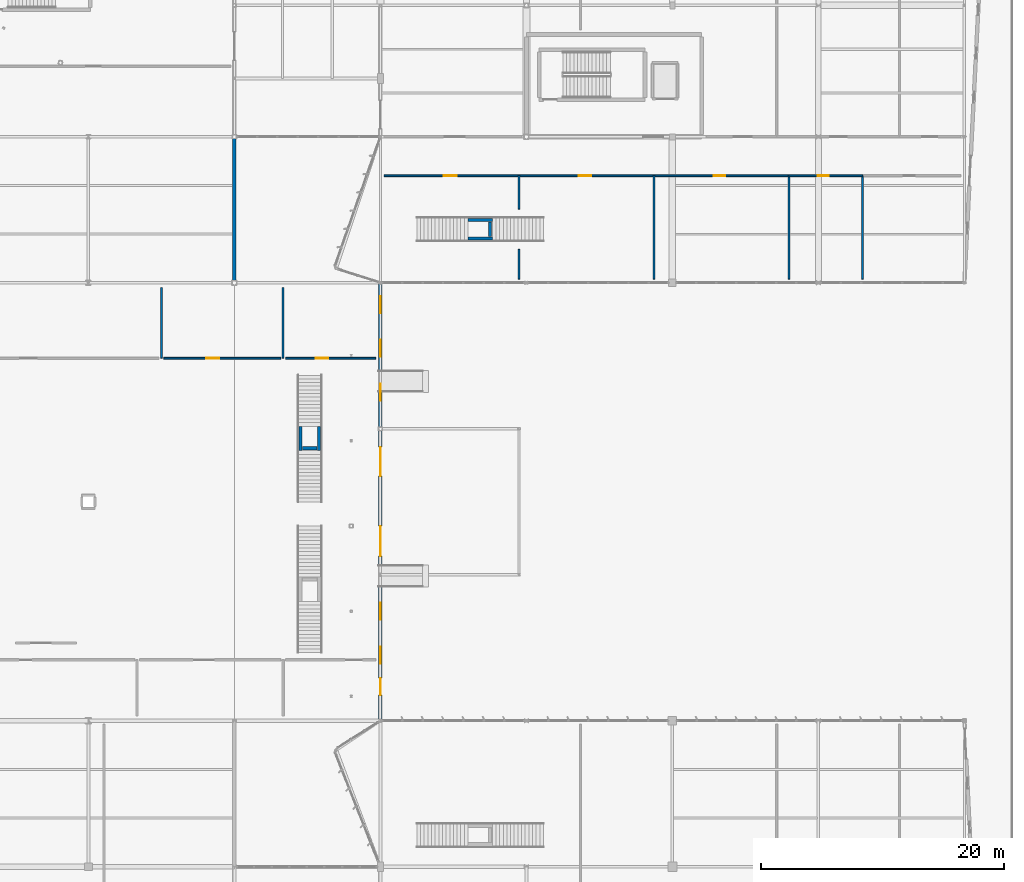
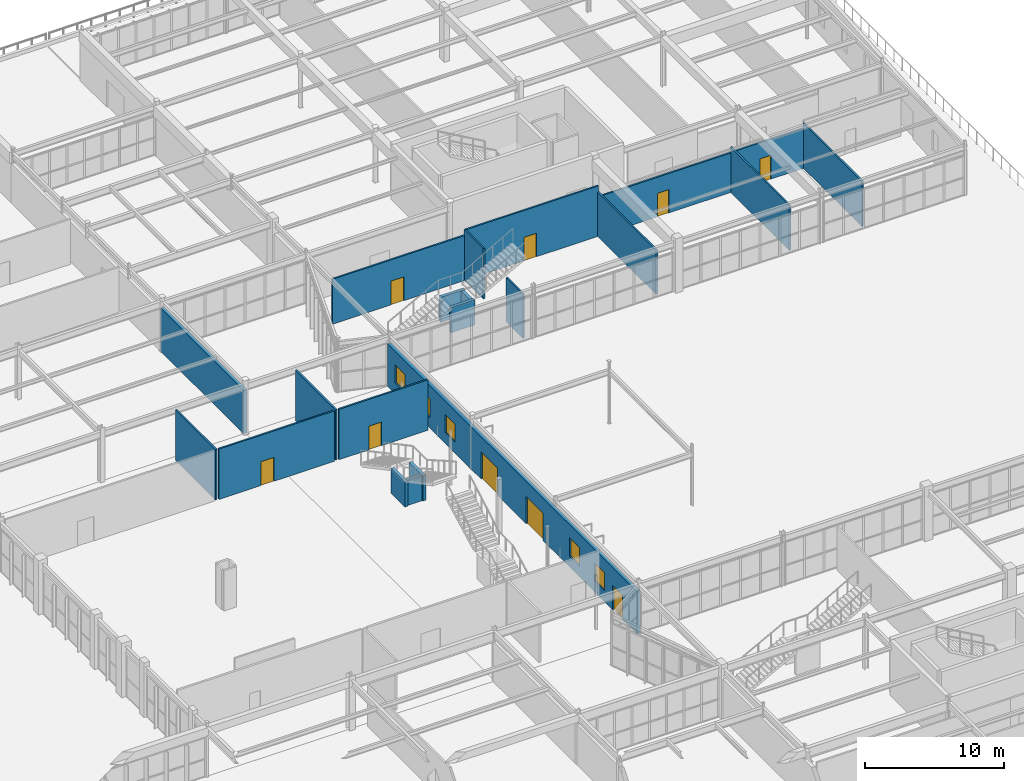
# One storey, part 170 of 199: 21 walls, 9 doors, 5 windows, 14 openings.
"""IFC4 building model written with IfcOpenShell, lengths in metres."""

from ifc_helpers import new_model, si_unit, direction, frame, frame_2d, origin, place, context, subcontext, project, spatial, rectangle, extrude, material, layer, layer_set, type_object, element, fill, save


model = new_model("IFC4")

# Units and contexts
model_context = context("Model", 3, precision=1e-05, world=origin(), true_north=direction((0.0, 1.0)))
body_context = subcontext(model_context, "Body", "Model", "MODEL_VIEW")
ifc_project = project(units=[si_unit("LENGTHUNIT", "METRE"), si_unit("AREAUNIT", "SQUARE_METRE"), si_unit("VOLUMEUNIT", "CUBIC_METRE"), si_unit("PLANEANGLEUNIT", "RADIAN"), si_unit("MASSUNIT", "GRAM", prefix="KILO")], contexts=[model_context])

# Site, building, storey
site_placement = place(None, origin())
site = spatial("IfcSite", under=ifc_project, at=site_placement, CompositionType="ELEMENT")
building_placement = place(site_placement, origin())
building = spatial("IfcBuilding", under=site, at=building_placement, Name="Tarnwether General Hospital", CompositionType="ELEMENT")
storey_placement = place(building_placement, origin())
storey = spatial("IfcBuildingStorey", under=building, at=storey_placement, Name="L00", CompositionType="ELEMENT", Elevation=0.0)

# Wall
ifc_material_1 = material(Name="Precast concrete 40 MPa", Category="concrete")
ifc_layer_1 = layer(ifc_material_1, 0.280029296875)
ifc_layer_set_1 = layer_set([ifc_layer_1], Name="Precast concrete 40 MPa")
wall_type_1 = type_object("IfcWallType", Name="WL-EX280", PredefinedType="STANDARD", material=ifc_layer_set_1)
wall_1_placement = place(storey_placement, frame((132.0, 93.60009765625, 0.0), z_axis=(0.0, 0.0, 1.0), x_axis=(0.0, -1.0, 0.0)))
element("IfcWall", 1, at=wall_1_placement, inside=storey, type_object=wall_type_1, Name="L00 V4 East Court Wall EW-L00-0299", PredefinedType="STANDARD", context=body_context, shape_type="SweptSolid", body=[
    extrude(rectangle(XDim=12.0, YDim=0.280029296875, at=frame_2d((6.0, 0.0))), origin(), (0.0, 0.0, 1.0), 3.822998046875),
])

# Wall, openings, doors, windows
wall_2_placement = place(storey_placement, frame((144.0, 81.60009765625, 0.0), z_axis=(0.0, 0.0, 1.0), x_axis=(0.0, -1.0, 0.0)))
wall_2 = element("IfcWall", 2, at=wall_2_placement, inside=storey, type_object=wall_type_1, Name="Main Hall East Arrival Portal EW-L00-0304", PredefinedType="STANDARD", context=body_context, shape_type="SweptSolid", body=[
    extrude(rectangle(XDim=36.0, YDim=0.280029296875, at=frame_2d((18.0, 0.0))), origin(), (0.0, 0.0, 1.0), 3.738037109375),
])
opening_1_placement = place(wall_2_placement, frame((13.5, 0.0, 0.0)))
opening_1 = element("IfcOpeningElement", 3, at=opening_1_placement, cuts=wall_2, Name="Opening ED-08", PredefinedType="OPENING", context=body_context, shape_type="SweptSolid", body=[
    extrude(rectangle(XDim=2.39990234375, YDim=2.39990234375, at=frame_2d((1.199951171875, 1.199951171875))), frame((0.0, 0.14990234375, 0.0), z_axis=(0.0, -1.0, 0.0), x_axis=(1.0, 0.0, 0.0)), (0.0, 0.0, 1.0), 0.300048828125),
])
opening_2_placement = place(wall_2_placement, frame((20.0, 0.0, 0.0)))
opening_2 = element("IfcOpeningElement", 4, at=opening_2_placement, cuts=wall_2, Name="Opening ED-01", PredefinedType="OPENING", context=body_context, shape_type="SweptSolid", body=[
    extrude(rectangle(XDim=2.4599609375, YDim=2.39990234375, at=frame_2d((1.22998046875, 1.199951171875))), frame((0.0, 0.14990234375, 0.0), z_axis=(0.0, -1.0, 0.0), x_axis=(1.0, 0.0, 0.0)), (0.0, 0.0, 1.0), 0.300048828125),
])
opening_3_placement = place(wall_2_placement, frame((32.5, 0.0, 0.0)))
opening_3 = element("IfcOpeningElement", 5, at=opening_3_placement, cuts=wall_2, Name="Opening ED-05", PredefinedType="OPENING", context=body_context, shape_type="SweptSolid", body=[
    extrude(rectangle(XDim=1.39990234375, YDim=2.14990234375, at=frame_2d((0.699951171875, 1.074951171875))), frame((0.0, 0.14990234375, 0.0), z_axis=(0.0, -1.0, 0.0), x_axis=(1.0, 0.0, 0.0)), (0.0, 0.0, 1.0), 0.300048828125),
])
opening_4_placement = place(wall_2_placement, frame((1.10009765625, 0.0, 0.949951171875)))
opening_4 = element("IfcOpeningElement", 6, at=opening_4_placement, cuts=wall_2, Name="Opening W-23", PredefinedType="OPENING", context=body_context, shape_type="SweptSolid", body=[
    extrude(rectangle(XDim=1.39990234375, YDim=1.60009765625, at=frame_2d((0.699951171875, 0.800048828125))), frame((0.0, 0.14990234375, 0.0), z_axis=(0.0, -1.0, 0.0), x_axis=(1.0, 0.0, 0.0)), (0.0, 0.0, 1.0), 0.300048828125),
])
opening_5_placement = place(wall_2_placement, frame((4.699951171875, 0.0, 0.949951171875)))
opening_5 = element("IfcOpeningElement", 7, at=opening_5_placement, cuts=wall_2, Name="Opening W-23", PredefinedType="OPENING", context=body_context, shape_type="SweptSolid", body=[
    extrude(rectangle(XDim=1.39990234375, YDim=1.60009765625, at=frame_2d((0.699951171875, 0.800048828125))), frame((0.0, 0.14990234375, 0.0), z_axis=(0.0, -1.0, 0.0), x_axis=(1.0, 0.0, 0.0)), (0.0, 0.0, 1.0), 0.300048828125),
])
opening_6_placement = place(wall_2_placement, frame((8.300048828125, 0.0, 0.949951171875)))
opening_6 = element("IfcOpeningElement", 8, at=opening_6_placement, cuts=wall_2, Name="Opening W-23", PredefinedType="OPENING", context=body_context, shape_type="SweptSolid", body=[
    extrude(rectangle(XDim=1.39990234375, YDim=1.60009765625, at=frame_2d((0.699951171875, 0.800048828125))), frame((0.0, 0.14990234375, 0.0), z_axis=(0.0, -1.0, 0.0), x_axis=(1.0, 0.0, 0.0)), (0.0, 0.0, 1.0), 0.300048828125),
])
opening_7_placement = place(wall_2_placement, frame((26.300048828125, 0.0, 0.949951171875)))
opening_7 = element("IfcOpeningElement", 9, at=opening_7_placement, cuts=wall_2, Name="Opening W-23", PredefinedType="OPENING", context=body_context, shape_type="SweptSolid", body=[
    extrude(rectangle(XDim=1.39990234375, YDim=1.60009765625, at=frame_2d((0.699951171875, 0.800048828125))), frame((0.0, 0.14990234375, 0.0), z_axis=(0.0, -1.0, 0.0), x_axis=(1.0, 0.0, 0.0)), (0.0, 0.0, 1.0), 0.300048828125),
])
opening_8_placement = place(wall_2_placement, frame((29.89990234375, 0.0, 0.949951171875)))
opening_8 = element("IfcOpeningElement", 10, at=opening_8_placement, cuts=wall_2, Name="Opening W-23", PredefinedType="OPENING", context=body_context, shape_type="SweptSolid", body=[
    extrude(rectangle(XDim=1.39990234375, YDim=1.60009765625, at=frame_2d((0.699951171875, 0.800048828125))), frame((0.0, 0.14990234375, 0.0), z_axis=(0.0, -1.0, 0.0), x_axis=(1.0, 0.0, 0.0)), (0.0, 0.0, 1.0), 0.300048828125),
])
ifc_material_2 = material(Name="Anodised aluminium", Category="aluminium")
door_type_1 = type_object("IfcDoorType", Name="DR-EX01", OperationType="NOTDEFINED", PredefinedType="DOOR", material=ifc_material_2)
door_1_placement = place(opening_2_placement, origin())
door_1 = element("IfcDoor", 11, at=door_1_placement, inside=storey, type_object=door_type_1, Name="Main Hall Secondary Pedestrian Exit ED-L00-0034", OperationType="DOUBLE_DOOR_SINGLE_SWING", OverallHeight=2.39990234375, OverallWidth=2.4599609375, PredefinedType="DOOR", context=body_context, shape_type="SweptSolid", body=[
    extrude(rectangle(XDim=2.4599609375, YDim=2.39990234375, at=frame_2d((1.22998046875, 1.199951171875))), frame((0.0, 0.02490234375, 0.0), z_axis=(0.0, -1.0, 0.0), x_axis=(1.0, 0.0, 0.0)), (0.0, 0.0, 1.0), 0.050048828125),
])
fill(opening_2, door_1)
ifc_material_3 = material(Name="Anodised aluminium", Category="aluminium")
door_type_2 = type_object("IfcDoorType", Name="DR-EX05", OperationType="NOTDEFINED", PredefinedType="DOOR", material=ifc_material_3)
door_2_placement = place(opening_3_placement, origin())
door_2 = element("IfcDoor", 12, at=door_2_placement, inside=storey, type_object=door_type_2, Name="Fire Control Room Exterior Access Door ED-L00-0035", OperationType="SINGLE_SWING_LEFT", OverallHeight=2.14990234375, OverallWidth=1.39990234375, PredefinedType="DOOR", context=body_context, shape_type="SweptSolid", body=[
    extrude(rectangle(XDim=1.39990234375, YDim=2.14990234375, at=frame_2d((0.699951171875, 1.074951171875))), frame((0.0, 0.02490234375, 0.0), z_axis=(0.0, -1.0, 0.0), x_axis=(1.0, 0.0, 0.0)), (0.0, 0.0, 1.0), 0.050048828125),
])
fill(opening_3, door_2)
ifc_material_4 = material(Name="Anodised aluminium", Category="aluminium")
door_type_3 = type_object("IfcDoorType", Name="DR-EX08", OperationType="NOTDEFINED", PredefinedType="DOOR", material=ifc_material_4)
door_3_placement = place(opening_1_placement, origin())
door_3 = element("IfcDoor", 13, at=door_3_placement, inside=storey, type_object=door_type_3, Name="Main Hospital Entrance Sliding Doors ED-L00-0033", OperationType="SLIDING_TO_LEFT", OverallHeight=2.39990234375, OverallWidth=2.39990234375, PredefinedType="DOOR", context=body_context, shape_type="SweptSolid", body=[
    extrude(rectangle(XDim=2.39990234375, YDim=2.39990234375, at=frame_2d((1.199951171875, 1.199951171875))), frame((0.0, 0.02490234375, 0.0), z_axis=(0.0, -1.0, 0.0), x_axis=(1.0, 0.0, 0.0)), (0.0, 0.0, 1.0), 0.050048828125),
])
fill(opening_1, door_3)
ifc_material_5 = material(Name="Double glazed low-E glass", Category="glass")
window_type = type_object("IfcWindowType", Name="WN-23", PartitioningType="DOUBLE_PANEL_VERTICAL", PredefinedType="WINDOW", material=ifc_material_5)
window_1_placement = place(opening_4_placement, origin())
window_1 = element("IfcWindow", 14, at=window_1_placement, inside=storey, type_object=window_type, Name="Window WN-L00-0075", OverallHeight=1.60009765625, OverallWidth=1.39990234375, PartitioningType="DOUBLE_PANEL_VERTICAL", PredefinedType="WINDOW", context=body_context, shape_type="SweptSolid", body=[
    extrude(rectangle(XDim=1.39990234375, YDim=1.60009765625, at=frame_2d((0.699951171875, 0.800048828125))), frame((0.0, 0.030029296875, 0.0), z_axis=(0.0, -1.0, 0.0), x_axis=(1.0, 0.0, 0.0)), (0.0, 0.0, 1.0), 0.06005859375),
])
fill(opening_4, window_1)
window_2_placement = place(opening_5_placement, origin())
window_2 = element("IfcWindow", 15, at=window_2_placement, inside=storey, type_object=window_type, Name="Window WN-L00-0076", OverallHeight=1.60009765625, OverallWidth=1.39990234375, PartitioningType="DOUBLE_PANEL_VERTICAL", PredefinedType="WINDOW", context=body_context, shape_type="SweptSolid", body=[
    extrude(rectangle(XDim=1.39990234375, YDim=1.60009765625, at=frame_2d((0.699951171875, 0.800048828125))), frame((0.0, 0.030029296875, 0.0), z_axis=(0.0, -1.0, 0.0), x_axis=(1.0, 0.0, 0.0)), (0.0, 0.0, 1.0), 0.06005859375),
])
fill(opening_5, window_2)
window_3_placement = place(opening_6_placement, origin())
window_3 = element("IfcWindow", 16, at=window_3_placement, inside=storey, type_object=window_type, Name="Window WN-L00-0077", OverallHeight=1.60009765625, OverallWidth=1.39990234375, PartitioningType="DOUBLE_PANEL_VERTICAL", PredefinedType="WINDOW", context=body_context, shape_type="SweptSolid", body=[
    extrude(rectangle(XDim=1.39990234375, YDim=1.60009765625, at=frame_2d((0.699951171875, 0.800048828125))), frame((0.0, 0.030029296875, 0.0), z_axis=(0.0, -1.0, 0.0), x_axis=(1.0, 0.0, 0.0)), (0.0, 0.0, 1.0), 0.06005859375),
])
fill(opening_6, window_3)
window_4_placement = place(opening_7_placement, origin())
window_4 = element("IfcWindow", 17, at=window_4_placement, inside=storey, type_object=window_type, Name="Window WN-L00-0078", OverallHeight=1.60009765625, OverallWidth=1.39990234375, PartitioningType="DOUBLE_PANEL_VERTICAL", PredefinedType="WINDOW", context=body_context, shape_type="SweptSolid", body=[
    extrude(rectangle(XDim=1.39990234375, YDim=1.60009765625, at=frame_2d((0.699951171875, 0.800048828125))), frame((0.0, 0.030029296875, 0.0), z_axis=(0.0, -1.0, 0.0), x_axis=(1.0, 0.0, 0.0)), (0.0, 0.0, 1.0), 0.06005859375),
])
fill(opening_7, window_4)
window_5_placement = place(opening_8_placement, origin())
window_5 = element("IfcWindow", 18, at=window_5_placement, inside=storey, type_object=window_type, Name="Window WN-L00-0079", OverallHeight=1.60009765625, OverallWidth=1.39990234375, PartitioningType="DOUBLE_PANEL_VERTICAL", PredefinedType="WINDOW", context=body_context, shape_type="SweptSolid", body=[
    extrude(rectangle(XDim=1.39990234375, YDim=1.60009765625, at=frame_2d((0.699951171875, 0.800048828125))), frame((0.0, 0.030029296875, 0.0), z_axis=(0.0, -1.0, 0.0), x_axis=(1.0, 0.0, 0.0)), (0.0, 0.0, 1.0), 0.06005859375),
])
fill(opening_8, window_5)

# Wall, opening, door
ifc_material_6 = material(Name="Gypsum plasterboard")
ifc_layer_2 = layer(ifc_material_6, 0.139892578125)
ifc_layer_set_2 = layer_set([ifc_layer_2], Name="Gypsum plasterboard")
wall_type_2 = type_object("IfcWallType", Name="WL-PT140", PredefinedType="PARTITIONING", material=ifc_layer_set_2)
wall_3_placement = place(storey_placement, frame((126.199951171875, 75.39990234375, 0.0), z_axis=(0.0, 0.0, 1.0), x_axis=(1.0, 0.0, 0.0)))
wall_3 = element("IfcWall", 19, at=wall_3_placement, inside=storey, type_object=wall_type_2, Name="Interior Partition PT-L00-0059", PredefinedType="PARTITIONING", context=body_context, shape_type="SweptSolid", body=[
    extrude(rectangle(XDim=9.60009765625, YDim=0.139892578125, at=frame_2d((4.800048828125, 0.0))), origin(), (0.0, 0.0, 1.0), 4.445068359375),
])
opening_9_placement = place(wall_3_placement, frame((3.5, 0.0, 0.0)))
opening_9 = element("IfcOpeningElement", 20, at=opening_9_placement, cuts=wall_3, Name="Opening D-08", PredefinedType="OPENING", context=body_context, shape_type="SweptSolid", body=[
    extrude(rectangle(XDim=1.06005859375, YDim=2.10009765625, at=frame_2d((0.530029296875, 1.050048828125))), frame((0.0, 0.080078125, 0.0), z_axis=(0.0, -1.0, 0.0), x_axis=(1.0, 0.0, 0.0)), (0.0, 0.0, 1.0), 0.159912109375),
])
ifc_material_7 = material(Name="Anodised aluminium", Category="aluminium")
door_type_4 = type_object("IfcDoorType", Name="DR-IN08", OperationType="NOTDEFINED", PredefinedType="DOOR", material=ifc_material_7)
door_4_placement = place(opening_9_placement, origin())
door_4 = element("IfcDoor", 21, at=door_4_placement, inside=storey, type_object=door_type_4, Name="Interior Door DR-L00-0035", OperationType="SINGLE_SWING_LEFT", OverallHeight=2.10009765625, OverallWidth=1.06005859375, PredefinedType="DOOR", context=body_context, shape_type="SweptSolid", body=[
    extrude(rectangle(XDim=1.06005859375, YDim=2.10009765625, at=frame_2d((0.530029296875, 1.050048828125))), frame((0.0, 0.02490234375, 0.0), z_axis=(0.0, -1.0, 0.0), x_axis=(1.0, 0.0, 0.0)), (0.0, 0.0, 1.0), 0.050048828125),
])
fill(opening_9, door_4)

wall_4_placement = place(storey_placement, frame((136.199951171875, 75.39990234375, 0.0), z_axis=(0.0, 0.0, 1.0), x_axis=(1.0, 0.0, 0.0)))
wall_4 = element("IfcWall", 22, at=wall_4_placement, inside=storey, type_object=wall_type_2, Name="Interior Partition PT-L00-0060", PredefinedType="PARTITIONING", context=body_context, shape_type="SweptSolid", body=[
    extrude(rectangle(XDim=7.400146484375, YDim=0.139892578125, at=frame_2d((3.7001953125, 0.0))), origin(), (0.0, 0.0, 1.0), 4.445068359375),
])
opening_10_placement = place(wall_4_placement, frame((2.5, 0.0, 0.0)))
opening_10 = element("IfcOpeningElement", 23, at=opening_10_placement, cuts=wall_4, Name="Opening D-09", PredefinedType="OPENING", context=body_context, shape_type="SweptSolid", body=[
    extrude(rectangle(XDim=1.02001953125, YDim=2.080078125, at=frame_2d((0.510009765625, 1.0400390625))), frame((0.0, 0.080078125, 0.0), z_axis=(0.0, -1.0, 0.0), x_axis=(1.0, 0.0, 0.0)), (0.0, 0.0, 1.0), 0.159912109375),
])
ifc_material_8 = material(Name="Anodised aluminium", Category="aluminium")
door_type_5 = type_object("IfcDoorType", Name="DR-IN09", OperationType="NOTDEFINED", PredefinedType="DOOR", material=ifc_material_8)
door_5_placement = place(opening_10_placement, origin())
door_5 = element("IfcDoor", 24, at=door_5_placement, inside=storey, type_object=door_type_5, Name="Interior Door DR-L00-0036", OperationType="SINGLE_SWING_RIGHT", OverallHeight=2.080078125, OverallWidth=1.02001953125, PredefinedType="DOOR", context=body_context, shape_type="SweptSolid", body=[
    extrude(rectangle(XDim=1.02001953125, YDim=2.080078125, at=frame_2d((0.510009765625, 1.0400390625))), frame((0.0, 0.02490234375, 0.0), z_axis=(0.0, -1.0, 0.0), x_axis=(1.0, 0.0, 0.0)), (0.0, 0.0, 1.0), 0.050048828125),
])
fill(opening_10, door_5)

# Walls
for number, where, z_axis, x_axis, name in (
    (25, (126.0, 75.39990234375, 0.0), (0.0, 0.0, 1.0), (0.0, 1.0, 0.0), "Interior Partition PT-L00-0061"),
    (26, (136.0, 75.39990234375, 0.0), (0.0, 0.0, 1.0), (0.0, 1.0, 0.0), "Interior Partition PT-L00-0062"),
):
    element("IfcWall", number, at=place(storey_placement, frame(where, z_axis=z_axis, x_axis=x_axis)), inside=storey, type_object=wall_type_2, Name=name, PredefinedType="PARTITIONING", context=body_context, shape_type="SweptSolid", body=[
        extrude(rectangle(XDim=5.800048828125, YDim=0.139892578125, at=frame_2d((2.89990234375, 0.0))), origin(), (0.0, 0.0, 1.0), 4.445068359375),
    ])

# Wall, opening, door
wall_5_placement = place(storey_placement, frame((144.300048828125, 90.39990234375, 0.0), z_axis=(0.0, 0.0, 1.0), x_axis=(1.0, 0.0, 0.0)))
wall_5 = element("IfcWall", 27, at=wall_5_placement, inside=storey, type_object=wall_type_2, Name="Interior Partition PT-L00-0146", PredefinedType="PARTITIONING", context=body_context, shape_type="SweptSolid", body=[
    extrude(rectangle(XDim=11.093994140625, YDim=0.139892578125, at=frame_2d((5.546875, 0.0))), origin(), (0.0, 0.0, 1.0), 3.972900390625),
])
opening_11_placement = place(wall_5_placement, frame((4.89697265625, 0.0, 0.0)))
opening_11 = element("IfcOpeningElement", 28, at=opening_11_placement, cuts=wall_5, Name="Opening D-08", PredefinedType="OPENING", context=body_context, shape_type="SweptSolid", body=[
    extrude(rectangle(XDim=1.06005859375, YDim=2.10009765625, at=frame_2d((0.530029296875, 1.050048828125))), frame((0.0, 0.080078125, 0.0), z_axis=(0.0, -1.0, 0.0), x_axis=(1.0, 0.0, 0.0)), (0.0, 0.0, 1.0), 0.159912109375),
])
door_6_placement = place(opening_11_placement, origin())
door_6 = element("IfcDoor", 29, at=door_6_placement, inside=storey, type_object=door_type_4, Name="Interior Door DR-L00-0082", OperationType="SINGLE_SWING_RIGHT", OverallHeight=2.10009765625, OverallWidth=1.06005859375, PredefinedType="DOOR", context=body_context, shape_type="SweptSolid", body=[
    extrude(rectangle(XDim=1.06005859375, YDim=2.10009765625, at=frame_2d((0.530029296875, 1.050048828125))), frame((0.0, 0.02490234375, 0.0), z_axis=(0.0, -1.0, 0.0), x_axis=(1.0, 0.0, 0.0)), (0.0, 0.0, 1.0), 0.050048828125),
])
fill(opening_11, door_6)

# Walls
wall_6_placement = place(storey_placement, frame((155.39404296875, 81.89990234375, 0.0), z_axis=(0.0, 0.0, 1.0), x_axis=(0.0, 1.0, 0.0)))
element("IfcWall", 30, at=wall_6_placement, inside=storey, type_object=wall_type_2, Name="Interior Partition PT-L00-0147", PredefinedType="PARTITIONING", context=body_context, shape_type="SweptSolid", body=[
    extrude(rectangle(XDim=2.4501953125, YDim=0.139892578125, at=frame_2d((1.22509765625, 0.0))), origin(), (0.0, 0.0, 1.0), 3.89697265625),
])
wall_7_placement = place(storey_placement, frame((155.39404296875, 87.64990234375, 0.0), z_axis=(0.0, 0.0, 1.0), x_axis=(0.0, 1.0, 0.0)))
element("IfcWall", 31, at=wall_7_placement, inside=storey, type_object=wall_type_2, Name="Interior Partition PT-L00-0148", PredefinedType="PARTITIONING", context=body_context, shape_type="SweptSolid", body=[
    extrude(rectangle(XDim=2.75, YDim=0.139892578125, at=frame_2d((1.375, 0.0))), origin(), (0.0, 0.0, 1.0), 4.445068359375),
])

# Wall, opening, door
wall_8_placement = place(storey_placement, frame((155.39404296875, 90.39990234375, 0.0), z_axis=(0.0, 0.0, 1.0), x_axis=(1.0, 0.0, 0.0)))
wall_8 = element("IfcWall", 32, at=wall_8_placement, inside=storey, type_object=wall_type_2, Name="Interior Partition PT-L00-0149", PredefinedType="PARTITIONING", context=body_context, shape_type="SweptSolid", body=[
    extrude(rectangle(XDim=11.093017578125, YDim=0.139892578125, at=frame_2d((5.54638671875, 0.0))), origin(), (0.0, 0.0, 1.0), 4.445068359375),
])
opening_12_placement = place(wall_8_placement, frame((4.89697265625, 0.0, 0.0)))
opening_12 = element("IfcOpeningElement", 33, at=opening_12_placement, cuts=wall_8, Name="Opening D-09", PredefinedType="OPENING", context=body_context, shape_type="SweptSolid", body=[
    extrude(rectangle(XDim=1.02001953125, YDim=2.080078125, at=frame_2d((0.510009765625, 1.0400390625))), frame((0.0, 0.080078125, 0.0), z_axis=(0.0, -1.0, 0.0), x_axis=(1.0, 0.0, 0.0)), (0.0, 0.0, 1.0), 0.159912109375),
])
door_7_placement = place(opening_12_placement, origin())
door_7 = element("IfcDoor", 34, at=door_7_placement, inside=storey, type_object=door_type_5, Name="Interior Door DR-L00-0083", OperationType="SINGLE_SWING_LEFT", OverallHeight=2.080078125, OverallWidth=1.02001953125, PredefinedType="DOOR", context=body_context, shape_type="SweptSolid", body=[
    extrude(rectangle(XDim=1.02001953125, YDim=2.080078125, at=frame_2d((0.510009765625, 1.0400390625))), frame((0.0, 0.02490234375, 0.0), z_axis=(0.0, -1.0, 0.0), x_axis=(1.0, 0.0, 0.0)), (0.0, 0.0, 1.0), 0.050048828125),
])
fill(opening_12, door_7)

# Wall
wall_9_placement = place(storey_placement, frame((166.487060546875, 81.89990234375, 0.0), z_axis=(0.0, 0.0, 1.0), x_axis=(0.0, 1.0, 0.0)))
element("IfcWall", 35, at=wall_9_placement, inside=storey, type_object=wall_type_2, Name="Interior Partition PT-L00-0150", PredefinedType="PARTITIONING", context=body_context, shape_type="SweptSolid", body=[
    extrude(rectangle(XDim=8.5, YDim=0.139892578125, at=frame_2d((4.25, 0.0))), origin(), (0.0, 0.0, 1.0), 3.902099609375),
])

# Wall, opening, door
wall_10_placement = place(storey_placement, frame((166.487060546875, 90.39990234375, 0.0), z_axis=(0.0, 0.0, 1.0), x_axis=(1.0, 0.0, 0.0)))
wall_10 = element("IfcWall", 36, at=wall_10_placement, inside=storey, type_object=wall_type_2, Name="Interior Partition PT-L00-0151", PredefinedType="PARTITIONING", context=body_context, shape_type="SweptSolid", body=[
    extrude(rectangle(XDim=11.093994140625, YDim=0.139892578125, at=frame_2d((5.546875, 0.0))), origin(), (0.0, 0.0, 1.0), 3.47998046875),
])
opening_13_placement = place(wall_10_placement, frame((4.89697265625, 0.0, 0.0)))
opening_13 = element("IfcOpeningElement", 37, at=opening_13_placement, cuts=wall_10, Name="Opening D-10", PredefinedType="OPENING", context=body_context, shape_type="SweptSolid", body=[
    extrude(rectangle(XDim=0.9599609375, YDim=2.06005859375, at=frame_2d((0.47998046875, 1.030029296875))), frame((0.0, 0.080078125, 0.0), z_axis=(0.0, -1.0, 0.0), x_axis=(1.0, 0.0, 0.0)), (0.0, 0.0, 1.0), 0.159912109375),
])
ifc_material_9 = material(Name="Anodised aluminium", Category="aluminium")
door_type_6 = type_object("IfcDoorType", Name="DR-IN10", OperationType="NOTDEFINED", PredefinedType="DOOR", material=ifc_material_9)
door_8_placement = place(opening_13_placement, origin())
door_8 = element("IfcDoor", 38, at=door_8_placement, inside=storey, type_object=door_type_6, Name="Interior Door DR-L00-0084", OperationType="SINGLE_SWING_RIGHT", OverallHeight=2.06005859375, OverallWidth=0.9599609375, PredefinedType="DOOR", context=body_context, shape_type="SweptSolid", body=[
    extrude(rectangle(XDim=0.9599609375, YDim=2.06005859375, at=frame_2d((0.47998046875, 1.030029296875))), frame((0.0, 0.02490234375, 0.0), z_axis=(0.0, -1.0, 0.0), x_axis=(1.0, 0.0, 0.0)), (0.0, 0.0, 1.0), 0.050048828125),
])
fill(opening_13, door_8)

# Wall
wall_11_placement = place(storey_placement, frame((177.5810546875, 81.89990234375, 0.0), z_axis=(0.0, 0.0, 1.0), x_axis=(0.0, 1.0, 0.0)))
element("IfcWall", 39, at=wall_11_placement, inside=storey, type_object=wall_type_2, Name="Interior Partition PT-L00-0152", PredefinedType="PARTITIONING", context=body_context, shape_type="SweptSolid", body=[
    extrude(rectangle(XDim=8.5, YDim=0.139892578125, at=frame_2d((4.25, 0.0))), origin(), (0.0, 0.0, 1.0), 3.969970703125),
])

# Wall, opening, door
wall_12_placement = place(storey_placement, frame((177.5810546875, 90.39990234375, 0.0), z_axis=(0.0, 0.0, 1.0), x_axis=(1.0, 0.0, 0.0)))
wall_12 = element("IfcWall", 40, at=wall_12_placement, inside=storey, type_object=wall_type_2, Name="Interior Partition PT-L00-0153", PredefinedType="PARTITIONING", context=body_context, shape_type="SweptSolid", body=[
    extrude(rectangle(XDim=6.051025390625, YDim=0.139892578125, at=frame_2d((3.025390625, 0.0))), origin(), (0.0, 0.0, 1.0), 3.530029296875),
])
opening_14_placement = place(wall_12_placement, frame((2.3759765625, 0.0, 0.0)))
opening_14 = element("IfcOpeningElement", 41, at=opening_14_placement, cuts=wall_12, Name="Opening D-11", PredefinedType="OPENING", context=body_context, shape_type="SweptSolid", body=[
    extrude(rectangle(XDim=0.89990234375, YDim=2.10009765625, at=frame_2d((0.449951171875, 1.050048828125))), frame((0.0, 0.080078125, 0.0), z_axis=(0.0, -1.0, 0.0), x_axis=(1.0, 0.0, 0.0)), (0.0, 0.0, 1.0), 0.159912109375),
])
ifc_material_10 = material(Name="Anodised aluminium", Category="aluminium")
door_type_7 = type_object("IfcDoorType", Name="DR-IN11", OperationType="NOTDEFINED", PredefinedType="DOOR", material=ifc_material_10)
door_9_placement = place(opening_14_placement, origin())
door_9 = element("IfcDoor", 42, at=door_9_placement, inside=storey, type_object=door_type_7, Name="Interior Door DR-L00-0085", OperationType="SINGLE_SWING_LEFT", OverallHeight=2.10009765625, OverallWidth=0.89990234375, PredefinedType="DOOR", context=body_context, shape_type="SweptSolid", body=[
    extrude(rectangle(XDim=0.89990234375, YDim=2.10009765625, at=frame_2d((0.449951171875, 1.050048828125))), frame((0.0, 0.02490234375, 0.0), z_axis=(0.0, -1.0, 0.0), x_axis=(1.0, 0.0, 0.0)), (0.0, 0.0, 1.0), 0.050048828125),
])
fill(opening_14, door_9)

# Walls
wall_13_placement = place(storey_placement, frame((183.632080078125, 81.89990234375, 0.0), z_axis=(0.0, 0.0, 1.0), x_axis=(0.0, 1.0, 0.0)))
element("IfcWall", 43, at=wall_13_placement, inside=storey, type_object=wall_type_2, Name="Interior Partition PT-L00-0154", PredefinedType="PARTITIONING", context=body_context, shape_type="SweptSolid", body=[
    extrude(rectangle(XDim=8.5, YDim=0.139892578125, at=frame_2d((4.25, 0.0))), origin(), (0.0, 0.0, 1.0), 3.972900390625),
])
ifc_material_11 = material(Name="Concrete 50 MPa", Category="concrete")
ifc_layer_3 = layer(ifc_material_11, 0.25)
ifc_layer_set_3 = layer_set([ifc_layer_3], Name="Concrete 50 MPa")
wall_type_3 = type_object("IfcWallType", Name="WL-SW250", PredefinedType="SHEAR", material=ifc_layer_set_3)
for number, where, z_axis, x_axis, name in (
    (44, (137.449951171875, 69.800048828125, 0.0), (0.0, 0.0, 1.0), (0.0, -1.0, 0.0), "Feature Stair Support Fin Wall ST-12 L"),
    (45, (138.949951171875, 69.800048828125, 0.0), (0.0, 0.0, 1.0), (0.0, -1.0, 0.0), "Feature Stair Support Fin Wall ST-12 R"),
):
    element("IfcWall", number, at=place(storey_placement, frame(where, z_axis=z_axis, x_axis=x_axis)), inside=storey, type_object=wall_type_3, Name=name, PredefinedType="SHEAR", context=body_context, shape_type="SweptSolid", body=[
        extrude(rectangle(XDim=2.0, YDim=0.25, at=frame_2d((1.0, 0.0))), origin(), (0.0, 0.0, 1.0), 2.199951171875),
    ])
wall_14_placement = place(storey_placement, frame((137.60009765625, 68.0, 0.0), z_axis=(0.0, 0.0, 1.0), x_axis=(1.0, 0.0, 0.0)))
element("IfcWall", 46, at=wall_14_placement, inside=storey, type_object=wall_type_3, Name="Feature Stair Support Fin Wall ST-12 M", PredefinedType="SHEAR", context=body_context, shape_type="SweptSolid", body=[
    extrude(rectangle(XDim=1.199951171875, YDim=0.25, at=frame_2d((0.60009765625, 0.0))), origin(), (0.0, 0.0, 1.0), 2.199951171875),
])
for number, where, z_axis, x_axis, name in (
    (47, (151.199951171875, 85.25, 0.0), (0.0, 0.0, 1.0), (1.0, 0.0, 0.0), "Feature Stair Support Fin Wall ST-14 L"),
    (48, (151.199951171875, 86.75, 0.0), (0.0, 0.0, 1.0), (1.0, 0.0, 0.0), "Feature Stair Support Fin Wall ST-14 R"),
):
    element("IfcWall", number, at=place(storey_placement, frame(where, z_axis=z_axis, x_axis=x_axis)), inside=storey, type_object=wall_type_3, Name=name, PredefinedType="SHEAR", context=body_context, shape_type="SweptSolid", body=[
        extrude(rectangle(XDim=2.0, YDim=0.25, at=frame_2d((1.0, 0.0))), origin(), (0.0, 0.0, 1.0), 2.199951171875),
    ])
wall_15_placement = place(storey_placement, frame((153.0, 85.39990234375, 0.0), z_axis=(0.0, 0.0, 1.0), x_axis=(0.0, 1.0, 0.0)))
element("IfcWall", 49, at=wall_15_placement, inside=storey, type_object=wall_type_3, Name="Feature Stair Support Fin Wall ST-14 M", PredefinedType="SHEAR", context=body_context, shape_type="SweptSolid", body=[
    extrude(rectangle(XDim=1.2001953125, YDim=0.25, at=frame_2d((0.60009765625, 0.0))), origin(), (0.0, 0.0, 1.0), 2.199951171875),
])

save(model, "model.ifc")
